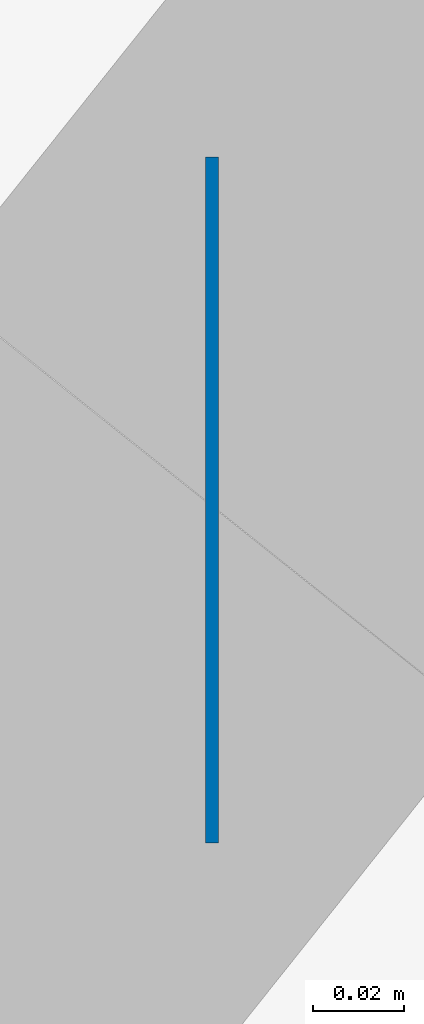
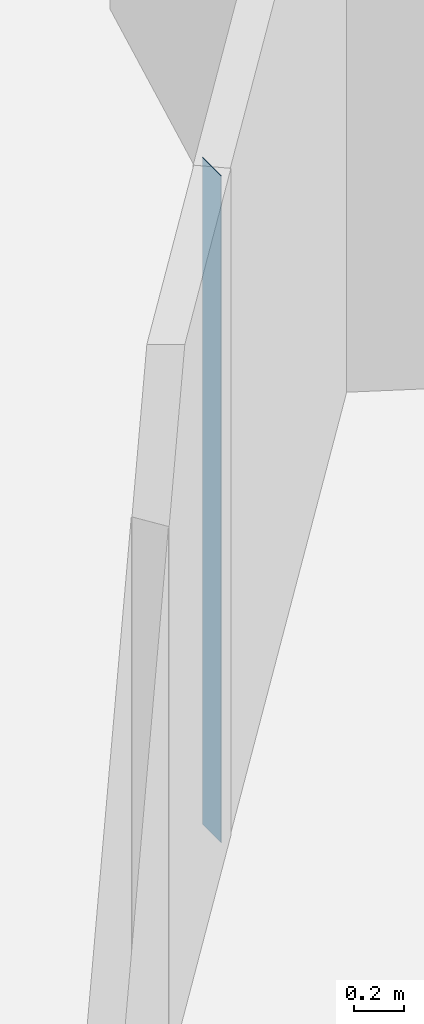
# One storey, part 5 of 13: 1 wall.
"""IFC4 building model written with IfcOpenShell, lengths in metres."""

from ifc_helpers import new_model, si_unit, direction, frame, frame_2d, origin, place, context, subcontext, project, spatial, rectangle, extrude, material, layer, layer_set, type_object, element, save


model = new_model("IFC4")

# Units and contexts
model_context = context("Model", 3, precision=1e-05, world=origin(), true_north=direction((0.0, 1.0)))
body_context = subcontext(model_context, "Body", "Model", "MODEL_VIEW")
ifc_project = project(units=[si_unit("LENGTHUNIT", "METRE"), si_unit("AREAUNIT", "SQUARE_METRE"), si_unit("VOLUMEUNIT", "CUBIC_METRE"), si_unit("PLANEANGLEUNIT", "RADIAN"), si_unit("MASSUNIT", "GRAM", prefix="KILO")], contexts=[model_context])

# Site, building, storey
site_placement = place(None, origin())
site = spatial("IfcSite", under=ifc_project, at=site_placement, CompositionType="ELEMENT")
building_placement = place(site_placement, origin())
building = spatial("IfcBuilding", under=site, at=building_placement, Name="Tracery Tower", CompositionType="ELEMENT")
storey_placement = place(building_placement, frame((0.0, 0.0, 256.199951171875)))
storey = spatial("IfcBuildingStorey", under=building, at=storey_placement, Name="L66", CompositionType="ELEMENT", Elevation=256.199951171875)

# Wall
ifc_material = material(Name="Plasterboard on steel studs", Category="steel")
ifc_layer = layer(ifc_material, 0.14990234375)
ifc_layer_set = layer_set([ifc_layer], Name="Partition 150 corridor wall")
wall_type = type_object("IfcWallType", Name="Partition 150 corridor wall", PredefinedType="PARTITIONING", material=ifc_layer_set)
wall_placement = place(storey_placement, frame((11.136962890625, -8.800048828125, 0.0), z_axis=(0.0, 0.0, 1.0), x_axis=(-1.0, 0.0, 0.0)))
element("IfcWall", 1, at=wall_placement, inside=storey, type_object=wall_type, Name="Corridor wall RC3-019", PredefinedType="PARTITIONING", context=body_context, shape_type="SweptSolid", body=[
    extrude(rectangle(XDim=0.0029296875, YDim=0.14990234375, at=frame_2d((0.00146484375, 0.0))), origin(), (0.0, 0.0, 1.0), 3.25),
])

save(model, "model.ifc")
